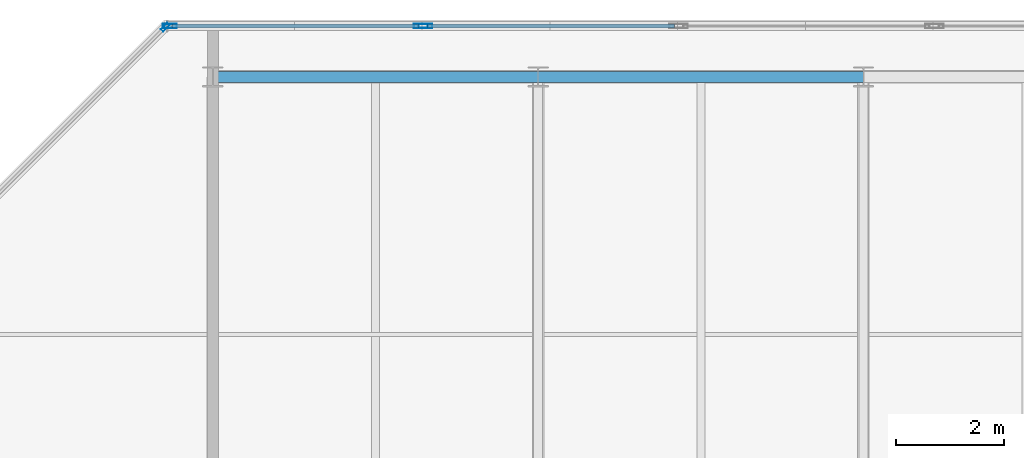
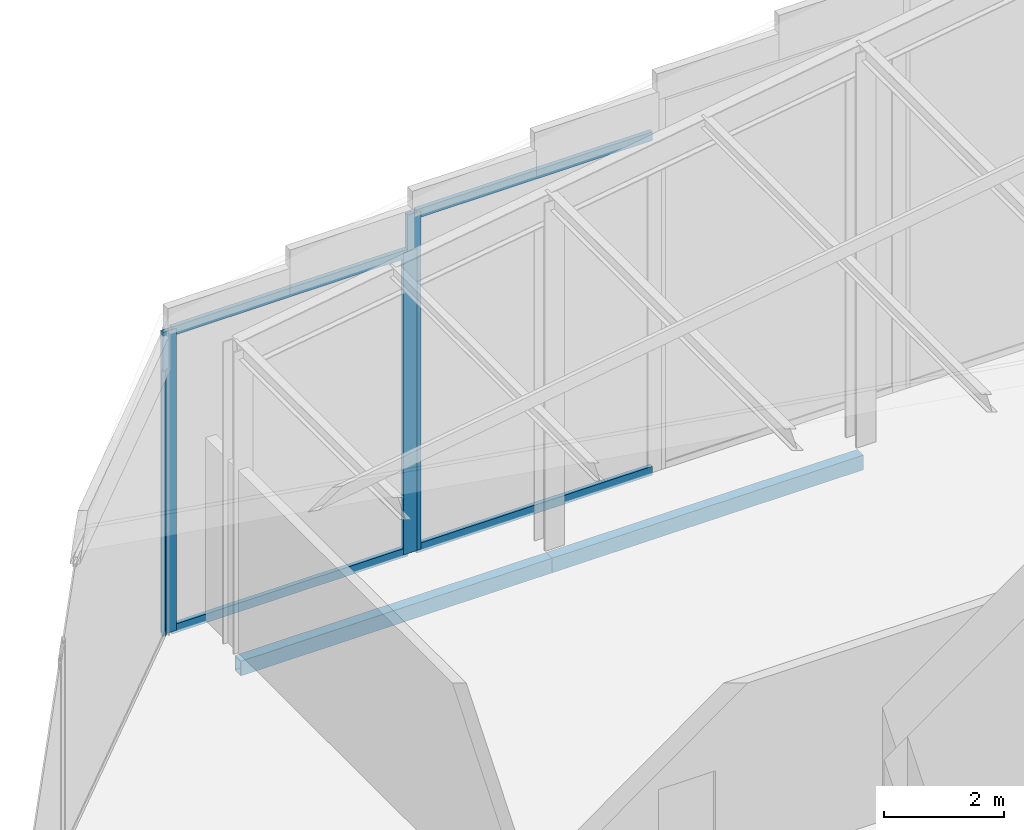
# One storey, part 17 of 30: 8 members, 2 beams, 3 elements without a shape of their own.
"""IFC4 building model written with IfcOpenShell, lengths in metres."""

from ifc_helpers import new_model, si_unit, direction, frame, origin, origin_2d, place, context, subcontext, project, spatial, hollow_rectangle, extrude, material, layer, layer_set, material_profile, profile_set, type_object, element, aggregate, save


model = new_model("IFC4")

# Units and contexts
model_context = context("Model", 3, precision=1e-05, world=origin(), true_north=direction((0.0, 1.0)))
body_context = subcontext(model_context, "Body", "Model", "MODEL_VIEW")
ifc_project = project(units=[si_unit("LENGTHUNIT", "METRE"), si_unit("AREAUNIT", "SQUARE_METRE"), si_unit("VOLUMEUNIT", "CUBIC_METRE"), si_unit("PLANEANGLEUNIT", "RADIAN"), si_unit("MASSUNIT", "GRAM", prefix="KILO")], contexts=[model_context])

# Site, building, storey
site_placement = place(None, origin())
site = spatial("IfcSite", under=ifc_project, at=site_placement, CompositionType="ELEMENT")
building_placement = place(site_placement, origin())
building = spatial("IfcBuilding", under=site, at=building_placement, Name="Tanjung Sevakor Pilgrim Tower", CompositionType="ELEMENT")
storey_placement = place(building_placement, frame((0.0, 0.0, 287.760009765625)))
storey = spatial("IfcBuildingStorey", under=building, at=storey_placement, Name="L80", CompositionType="ELEMENT", Elevation=287.760009765625)

# Beams
ifc_material_1 = material(Name="Steel S355J2", Category="steel")
ifc_material_profile_1 = material_profile(ifc_material_1, hollow_rectangle(XDim=0.199951171875, YDim=0.300048828125, WallThickness=0.012451171875, at=origin_2d()))
ifc_profile_set_1 = profile_set([ifc_material_profile_1], Name="Steel S355J2")
beam_type = type_object("IfcBeamType", Name="BM-B-SP3-RHS_300x200x12.5", PredefinedType="SPANDREL", material=ifc_profile_set_1)
for number, where, z_axis, x_axis, name in (
    (1, (72.0, 53.949951171875, -0.409912109375), (1.0, 0.0, 0.0), (0.0, 1.0, 0.0), "L80 Spandrel EAST N-02"),
    (2, (78.0, 53.949951171875, -0.409912109375), (1.0, 0.0, 0.0), (0.0, 1.0, 0.0), "L80 Spandrel EAST N-04"),
):
    element("IfcBeam", number, at=place(storey_placement, frame(where, z_axis=z_axis, x_axis=x_axis)), inside=storey, type_object=beam_type, Name=name, PredefinedType="SPANDREL", context=body_context, shape_type="SweptSolid", body=[
        extrude(hollow_rectangle(XDim=0.199951171875, YDim=0.300048828125, WallThickness=0.012451171875, at=origin_2d()), origin(), (0.0, 0.0, 1.0), 6.0),
    ])

# Curtain wall, member
ifc_material_2 = material(Name="Aluminium 6063-T6 and Low-E Glass", Category="aluminium")
ifc_layer_1 = layer(ifc_material_2, 0.179931640625)
ifc_layer_set_1 = layer_set([ifc_layer_1], Name="CW-SYS-CHAM")
curtain_wall_type_1 = type_object("IfcCurtainWallType", Name="CW-SYS-CHAM", PredefinedType="NOTDEFINED", material=ifc_layer_set_1)
curtain_wall_1_placement = place(storey_placement, origin())
curtain_wall_1 = element("IfcCurtainWall", 3, at=curtain_wall_1_placement, inside=storey, type_object=curtain_wall_type_1, Name="L80 Curtain Wall CW-CHM-L80-EAST-5B1", PredefinedType="NOTDEFINED")
ifc_material_3 = material(Name="Aluminium 6063-T6", Category="aluminium")
ifc_material_profile_2 = material_profile(ifc_material_3, hollow_rectangle(XDim=0.06494140625, YDim=0.179931640625, WallThickness=0.00390625, at=origin_2d()))
ifc_profile_set_2 = profile_set([ifc_material_profile_2], Name="Aluminium 6063-T6")
member_type_1 = type_object("IfcMemberType", Name="TYPE-CWM-1", PredefinedType="MULLION", material=ifc_profile_set_2)
member_1_placement = place(storey_placement, frame((71.12255859375, 54.866943359375, 0.0), z_axis=(0.0, 0.0, 1.0), x_axis=(0.707106781187, -0.707106781187, 0.0)))
member_1 = element("IfcMember", 4, at=member_1_placement, type_object=member_type_1, Name="CW-CHM mullion 1", PredefinedType="MULLION", context=body_context, shape_type="SweptSolid", body=[
    extrude(hollow_rectangle(XDim=0.06494140625, YDim=0.179931640625, WallThickness=0.00390625, at=origin_2d()), origin(), (0.0, 0.0, 1.0), 5.408447265625),
])
aggregate(curtain_wall_1, [member_1])

ifc_material_4 = material(Name="Aluminium 6063-T6 and Low-E Glass", Category="aluminium")
ifc_layer_2 = layer(ifc_material_4, 0.219970703125)
ifc_layer_set_2 = layer_set([ifc_layer_2], Name="CW-SYS-CRNE")
curtain_wall_type_2 = type_object("IfcCurtainWallType", Name="CW-SYS-CRNE", PredefinedType="NOTDEFINED", material=ifc_layer_set_2)
curtain_wall_2_placement = place(storey_placement, origin())
curtain_wall_2 = element("IfcCurtainWall", 5, at=curtain_wall_2_placement, inside=storey, type_object=curtain_wall_type_2, Name="L80 Curtain Wall CW-CRN-L80-EAST-4-1B4", PredefinedType="NOTDEFINED")
ifc_material_5 = material(Name="Aluminium 6063-T6", Category="aluminium")
ifc_material_profile_3 = material_profile(ifc_material_5, hollow_rectangle(XDim=0.080078125, YDim=0.260009765625, WallThickness=0.0048828125, at=origin_2d()))
ifc_profile_set_3 = profile_set([ifc_material_profile_3], Name="Aluminium 6063-T6")
member_type_2 = type_object("IfcMemberType", Name="TYPE-CWM-3", PredefinedType="MULLION", material=ifc_profile_set_3)
member_2_placement = place(storey_placement, frame((75.91943359375, 54.889892578125, 0.0), z_axis=(0.0, 0.0, 1.0), x_axis=(0.0, -1.0, 0.0)))
member_2 = element("IfcMember", 6, at=member_2_placement, type_object=member_type_2, Name="CW-CRE mullion 2", PredefinedType="MULLION", context=body_context, shape_type="SweptSolid", body=[
    extrude(hollow_rectangle(XDim=0.080078125, YDim=0.260009765625, WallThickness=0.0048828125, at=origin_2d()), origin(), (0.0, 0.0, 1.0), 6.89599609375),
])

# Curtain wall, members
curtain_wall_3_placement = place(storey_placement, origin())
curtain_wall_3 = element("IfcCurtainWall", 7, at=curtain_wall_3_placement, inside=storey, type_object=curtain_wall_type_2, Name="L80 Curtain Wall CW-CRN-L80-EAST-4-1B5", PredefinedType="NOTDEFINED")
member_3_placement = place(storey_placement, frame((75.83935546875, 54.889892578125, 0.0), z_axis=(0.0, 0.0, 1.0), x_axis=(0.0, -1.0, 0.0)))
member_3 = element("IfcMember", 8, at=member_3_placement, type_object=member_type_2, Name="CW-CRE mullion 1", PredefinedType="MULLION", context=body_context, shape_type="SweptSolid", body=[
    extrude(hollow_rectangle(XDim=0.080078125, YDim=0.260009765625, WallThickness=0.0048828125, at=origin_2d()), origin(), (0.0, 0.0, 1.0), 6.1552734375),
])
member_4_placement = place(storey_placement, frame((71.20556640625, 54.889892578125, 0.0), z_axis=(0.0, 0.0, 1.0), x_axis=(0.0, -1.0, 0.0)))
member_4 = element("IfcMember", 9, at=member_4_placement, type_object=member_type_2, Name="CW-CRE mullion 2", PredefinedType="MULLION", context=body_context, shape_type="SweptSolid", body=[
    extrude(hollow_rectangle(XDim=0.080078125, YDim=0.260009765625, WallThickness=0.0048828125, at=origin_2d()), origin(), (0.0, 0.0, 1.0), 6.1552734375),
])

# Member
ifc_material_6 = material(Name="Aluminium 6063-T6", Category="aluminium")
ifc_material_profile_4 = material_profile(ifc_material_6, hollow_rectangle(XDim=0.080078125, YDim=0.179931640625, WallThickness=0.0048828125, at=origin_2d()))
ifc_profile_set_4 = profile_set([ifc_material_profile_4], Name="Aluminium 6063-T6")
member_type_3 = type_object("IfcMemberType", Name="TYPE-CWT-3", PredefinedType="USERDEFINED", material=ifc_profile_set_4)
member_5_placement = place(storey_placement, frame((80.51318359375, 54.889892578125, 0.0400390625), z_axis=(-1.0, 0.0, 0.0), x_axis=(0.0, -1.0, 0.0)))
member_5 = element("IfcMember", 10, at=member_5_placement, type_object=member_type_3, Name="CW-CRE transom 1.1", ObjectType="TRANSOM", PredefinedType="USERDEFINED", context=body_context, shape_type="SweptSolid", body=[
    extrude(hollow_rectangle(XDim=0.080078125, YDim=0.179931640625, WallThickness=0.0048828125, at=origin_2d()), origin(), (0.0, 0.0, 1.0), 4.5537109375),
])

member_6_placement = place(storey_placement, frame((80.51318359375, 54.889892578125, 6.85595703125), z_axis=(-1.0, 0.0, 0.0), x_axis=(0.0, -1.0, 0.0)))
member_6 = element("IfcMember", 11, at=member_6_placement, type_object=member_type_3, Name="CW-CRE transom 1.2", ObjectType="TRANSOM", PredefinedType="USERDEFINED", context=body_context, shape_type="SweptSolid", body=[
    extrude(hollow_rectangle(XDim=0.080078125, YDim=0.179931640625, WallThickness=0.0048828125, at=origin_2d()), origin(), (0.0, 0.0, 1.0), 4.5537109375),
])

aggregate(curtain_wall_2, [member_2, member_5, member_6])

member_7_placement = place(storey_placement, frame((75.79931640625, 54.889892578125, 0.0400390625), z_axis=(-1.0, 0.0, 0.0), x_axis=(0.0, -1.0, 0.0)))
member_7 = element("IfcMember", 12, at=member_7_placement, type_object=member_type_3, Name="CW-CRE transom 1.1", ObjectType="TRANSOM", PredefinedType="USERDEFINED", context=body_context, shape_type="SweptSolid", body=[
    extrude(hollow_rectangle(XDim=0.080078125, YDim=0.179931640625, WallThickness=0.0048828125, at=origin_2d()), origin(), (0.0, 0.0, 1.0), 4.5537109375),
])

member_8_placement = place(storey_placement, frame((75.79931640625, 54.889892578125, 6.115478515625), z_axis=(-1.0, 0.0, 0.0), x_axis=(0.0, -1.0, 0.0)))
member_8 = element("IfcMember", 13, at=member_8_placement, type_object=member_type_3, Name="CW-CRE transom 1.2", ObjectType="TRANSOM", PredefinedType="USERDEFINED", context=body_context, shape_type="SweptSolid", body=[
    extrude(hollow_rectangle(XDim=0.080078125, YDim=0.179931640625, WallThickness=0.0048828125, at=origin_2d()), origin(), (0.0, 0.0, 1.0), 4.5537109375),
])

aggregate(curtain_wall_3, [member_3, member_4, member_7, member_8])

save(model, "model.ifc")
